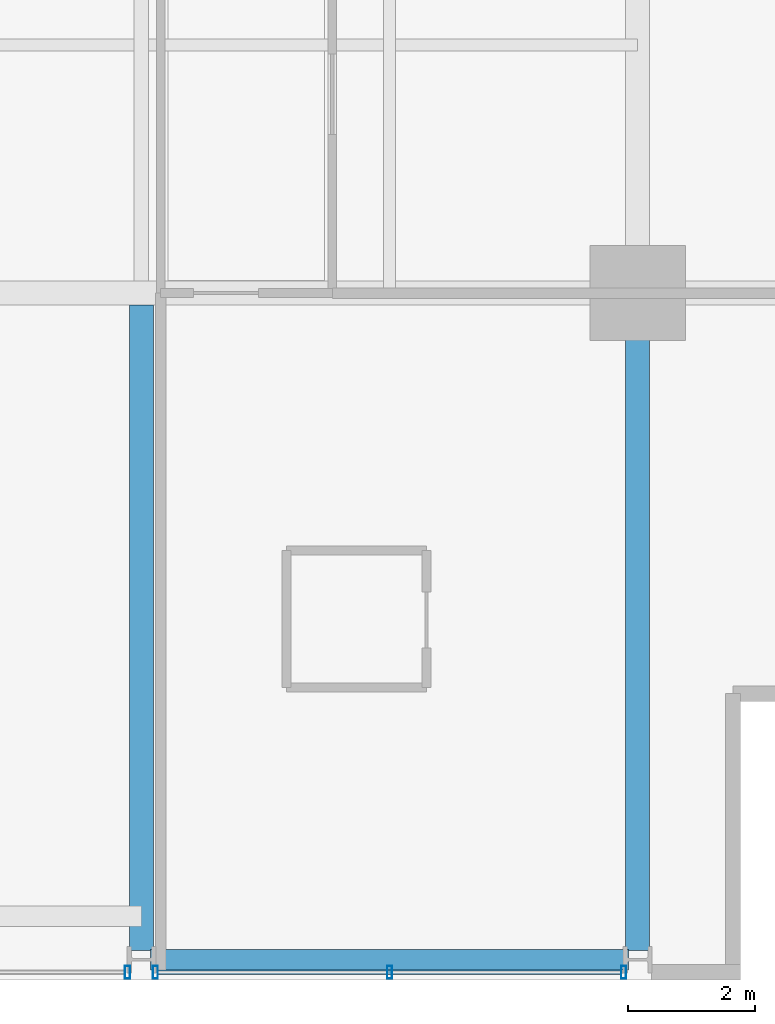
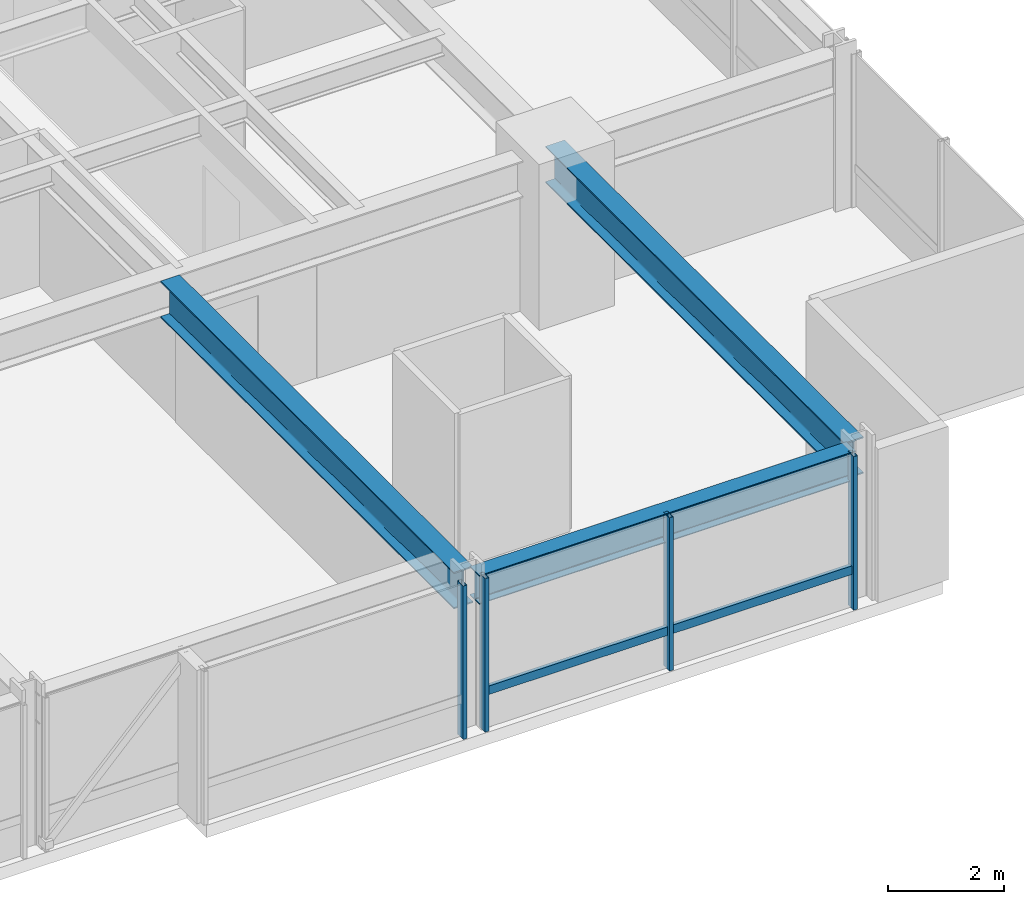
# One storey, part 11 of 34: 5 members, 3 beams, 2 elements without a shape of their own.
"""IFC4 building model written with IfcOpenShell, lengths in metres."""

from ifc_helpers import new_model, si_unit, direction, frame, origin, origin_2d, place, context, subcontext, project, spatial, hollow_rectangle, i_section, extrude, material, layer, layer_set, material_profile, profile_set, type_object, element, aggregate, save


model = new_model("IFC4")

# Units and contexts
model_context = context("Model", 3, precision=1e-05, world=origin(), true_north=direction((0.0, 1.0)))
body_context = subcontext(model_context, "Body", "Model", "MODEL_VIEW")
ifc_project = project(units=[si_unit("LENGTHUNIT", "METRE"), si_unit("AREAUNIT", "SQUARE_METRE"), si_unit("VOLUMEUNIT", "CUBIC_METRE"), si_unit("PLANEANGLEUNIT", "RADIAN"), si_unit("MASSUNIT", "GRAM", prefix="KILO")], contexts=[model_context])

# Site, building, storey
site_placement = place(None, origin())
site = spatial("IfcSite", under=ifc_project, at=site_placement, CompositionType="ELEMENT")
building_placement = place(site_placement, origin())
building = spatial("IfcBuilding", under=site, at=building_placement, Name="Drelvath Grand Hotel", CompositionType="ELEMENT")
storey_placement = place(building_placement, frame((0.0, 0.0, 109.300048828125)))
storey = spatial("IfcBuildingStorey", under=building, at=storey_placement, Name="L27", CompositionType="ELEMENT", Elevation=109.300048828125)

# Curtain wall, member
ifc_material_1 = material(Name="Champagne Bronze Anodised Aluminium Frame", Category="aluminium")
ifc_layer = layer(ifc_material_1, 0.199951171875)
ifc_layer_set = layer_set([ifc_layer], Name="Champagne Bronze Anodised Aluminium Frame")
curtain_wall_type = type_object("IfcCurtainWallType", Name="Stick Curtain Wall CW-03 Champagne Bronze Mid-Rise", PredefinedType="NOTDEFINED", material=ifc_layer_set)
curtain_wall_1_placement = place(storey_placement, origin())
curtain_wall_1 = element("IfcCurtainWall", 1, at=curtain_wall_1_placement, inside=storey, type_object=curtain_wall_type, Name="L27 CW-03 Curtain Wall CW03-L27-SE2", PredefinedType="NOTDEFINED")
ifc_material_profile_1 = material_profile(ifc_material_1, hollow_rectangle(XDim=0.074951171875, YDim=0.179931640625, WallThickness=0.0048828125, at=origin_2d()), Name="HSS180X75X5")
ifc_profile_set_1 = profile_set([ifc_material_profile_1], Name="Champagne Bronze Anodised Aluminium Frame")
member_type_1 = type_object("IfcMemberType", Name="Curtain Wall Horizontal Transom CW-03 HSS180X75X5", PredefinedType="USERDEFINED", material=ifc_profile_set_1)
member_1_placement = place(storey_placement, frame((15.9404296875, 0.1201171875, 0.81005859375), z_axis=(-1.0, 0.0, 0.0), x_axis=(0.0, -1.0, 0.0)))
member_1 = element("IfcMember", 2, at=member_1_placement, type_object=member_type_1, Name="CW03-L27-SE2 Sill Transom", ObjectType="TRANSOM", PredefinedType="USERDEFINED", context=body_context, shape_type="SweptSolid", body=[
    extrude(hollow_rectangle(XDim=0.074951171875, YDim=0.179931640625, WallThickness=0.0048828125, at=origin_2d()), origin(), (0.0, 0.0, 1.0), 7.28076171875),
])

curtain_wall_2_placement = place(storey_placement, origin())
curtain_wall_2 = element("IfcCurtainWall", 3, at=curtain_wall_2_placement, inside=storey, type_object=curtain_wall_type, Name="L27 CW-03 Curtain Wall CW03-L27-SE1", PredefinedType="NOTDEFINED")
ifc_material_profile_2 = material_profile(ifc_material_1, hollow_rectangle(XDim=0.080078125, YDim=0.199951171875, WallThickness=0.0048828125, at=origin_2d()), Name="HSS200X80X5")
ifc_profile_set_2 = profile_set([ifc_material_profile_2], Name="Champagne Bronze Anodised Aluminium Frame")
member_type_2 = type_object("IfcMemberType", Name="Curtain Wall Vertical Mullion CW-03 HSS200X80X5", PredefinedType="MULLION", material=ifc_profile_set_2)
member_2_placement = place(storey_placement, frame((8.180419921875, 0.1201171875, 0.0), z_axis=(0.0, 0.0, 1.0), x_axis=(1.0, 0.0, 0.0)))
member_2 = element("IfcMember", 4, at=member_2_placement, type_object=member_type_2, Name="CW03-L27-SE1 Mullion 1", PredefinedType="MULLION", context=body_context, shape_type="SweptSolid", body=[
    extrude(hollow_rectangle(XDim=0.080078125, YDim=0.199951171875, WallThickness=0.0048828125, at=origin_2d()), origin(), (0.0, 0.0, 1.0), 3.239990234375),
])
aggregate(curtain_wall_2, [member_2])

# Member
member_3_placement = place(storey_placement, frame((15.98046875, 0.1201171875, 0.0), z_axis=(0.0, 0.0, 1.0), x_axis=(1.0, 0.0, 0.0)))
member_3 = element("IfcMember", 5, at=member_3_placement, type_object=member_type_2, Name="CW03-L27-SE2 Mullion 1", PredefinedType="MULLION", context=body_context, shape_type="SweptSolid", body=[
    extrude(hollow_rectangle(XDim=0.080078125, YDim=0.199951171875, WallThickness=0.0048828125, at=origin_2d()), origin(), (0.0, 0.0, 1.0), 3.239990234375),
])

member_4_placement = place(storey_placement, frame((12.300048828125, 0.1201171875, 0.0), z_axis=(0.0, 0.0, 1.0), x_axis=(1.0, 0.0, 0.0)))
member_4 = element("IfcMember", 6, at=member_4_placement, type_object=member_type_2, Name="CW03-L27-SE2 Mullion 2", PredefinedType="MULLION", context=body_context, shape_type="SweptSolid", body=[
    extrude(hollow_rectangle(XDim=0.080078125, YDim=0.199951171875, WallThickness=0.0048828125, at=origin_2d()), origin(), (0.0, 0.0, 1.0), 3.239990234375),
])

member_5_placement = place(storey_placement, frame((8.61962890625, 0.1201171875, 0.0), z_axis=(0.0, 0.0, 1.0), x_axis=(1.0, 0.0, 0.0)))
member_5 = element("IfcMember", 7, at=member_5_placement, type_object=member_type_2, Name="CW03-L27-SE2 Mullion 3", PredefinedType="MULLION", context=body_context, shape_type="SweptSolid", body=[
    extrude(hollow_rectangle(XDim=0.080078125, YDim=0.199951171875, WallThickness=0.0048828125, at=origin_2d()), origin(), (0.0, 0.0, 1.0), 3.239990234375),
])

aggregate(curtain_wall_1, [member_3, member_4, member_5, member_1])

# Beams
ifc_material_2 = material(Name="Steel ASTM A992 Gr 50", Category="steel")
ifc_material_profile_3 = material_profile(ifc_material_2, i_section(OverallWidth=0.323974609375, OverallDepth=0.611083984375, WebThickness=0.0126953125, FlangeThickness=0.01904296875, FilletRadius=0.02197265625, at=origin_2d()), Name="W24X104")
ifc_profile_set_3 = profile_set([ifc_material_profile_3], Name="Steel ASTM A992 Gr 50")
beam_type_1 = type_object("IfcBeamType", Name="Perimeter Spandrel Beam W24X104", PredefinedType="SPANDREL", material=ifc_profile_set_3)
beam_1_placement = place(storey_placement, frame((8.5400390625, 0.320068359375, 2.9345703125), z_axis=(1.0, 0.0, 0.0), x_axis=(0.0, 1.0, 0.0)))
element("IfcBeam", 8, at=beam_1_placement, inside=storey, type_object=beam_type_1, Name="L27 Spandrel South E", PredefinedType="SPANDREL", context=body_context, shape_type="SweptSolid", body=[
    extrude(i_section(OverallWidth=0.323974609375, OverallDepth=0.611083984375, WebThickness=0.0126953125, FlangeThickness=0.01904296875, FilletRadius=0.02197265625, at=origin_2d()), origin(), (0.0, 0.0, 1.0), 7.52001953125),
])
ifc_material_profile_4 = material_profile(ifc_material_2, i_section(OverallWidth=0.380615234375, OverallDepth=0.773193359375, WebThickness=0.0166015625, FlangeThickness=0.027099609375, FilletRadius=0.02490234375, at=origin_2d()), Name="W30X173")
ifc_profile_set_4 = profile_set([ifc_material_profile_4], Name="Steel ASTM A992 Gr 50")
beam_type_2 = type_object("IfcBeamType", Name="Primary Floor Girder W30X173", PredefinedType="BEAM", material=ifc_profile_set_4)
beam_2_placement = place(storey_placement, frame((16.199951171875, 0.4599609375, 2.853271484375), z_axis=(0.0, 1.0, 0.0), x_axis=(-1.0, 0.0, 0.0)))
element("IfcBeam", 9, at=beam_2_placement, inside=storey, type_object=beam_type_2, Name="L27 South Grid Girder 7", PredefinedType="BEAM", context=body_context, shape_type="SweptSolid", body=[
    extrude(i_section(OverallWidth=0.380615234375, OverallDepth=0.773193359375, WebThickness=0.0166015625, FlangeThickness=0.027099609375, FilletRadius=0.02490234375, at=origin_2d()), origin(), (0.0, 0.0, 1.0), 10.340087890625),
])
beam_3_placement = place(storey_placement, frame((8.39990234375, 0.4599609375, 2.853271484375), z_axis=(0.0, 1.0, 0.0), x_axis=(-1.0, 0.0, 0.0)))
element("IfcBeam", 10, at=beam_3_placement, inside=storey, type_object=beam_type_2, Name="L27 South Wing Girder 6", PredefinedType="BEAM", context=body_context, shape_type="SweptSolid", body=[
    extrude(i_section(OverallWidth=0.380615234375, OverallDepth=0.773193359375, WebThickness=0.0166015625, FlangeThickness=0.027099609375, FilletRadius=0.02490234375, at=origin_2d()), origin(), (0.0, 0.0, 1.0), 10.149658203125),
])

save(model, "model.ifc")
